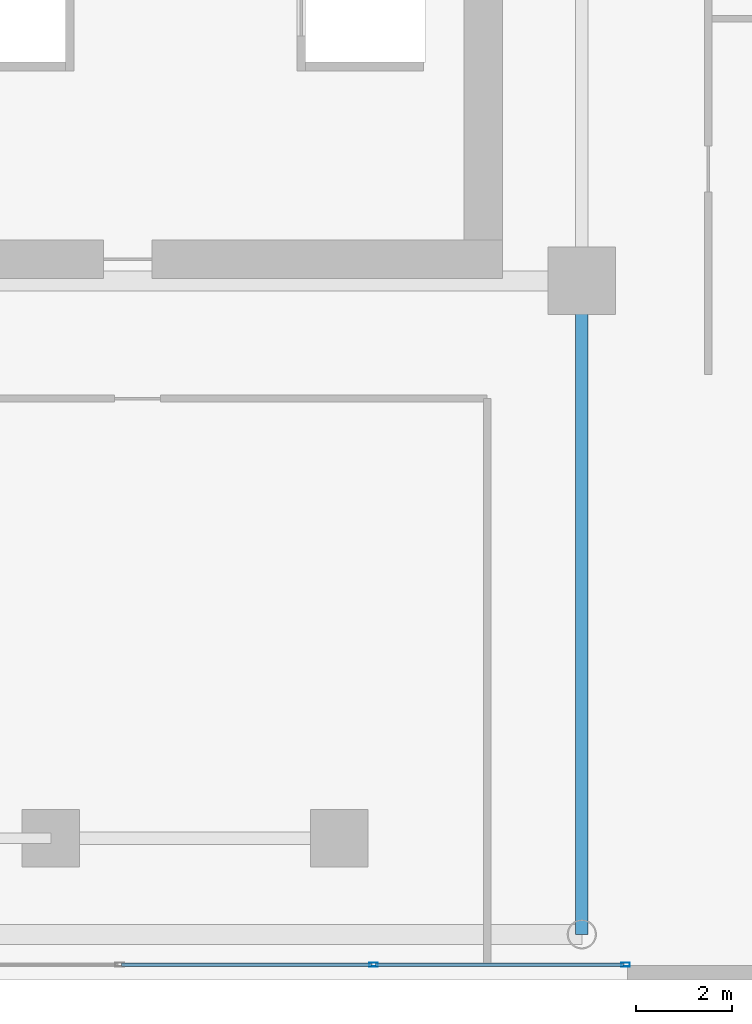
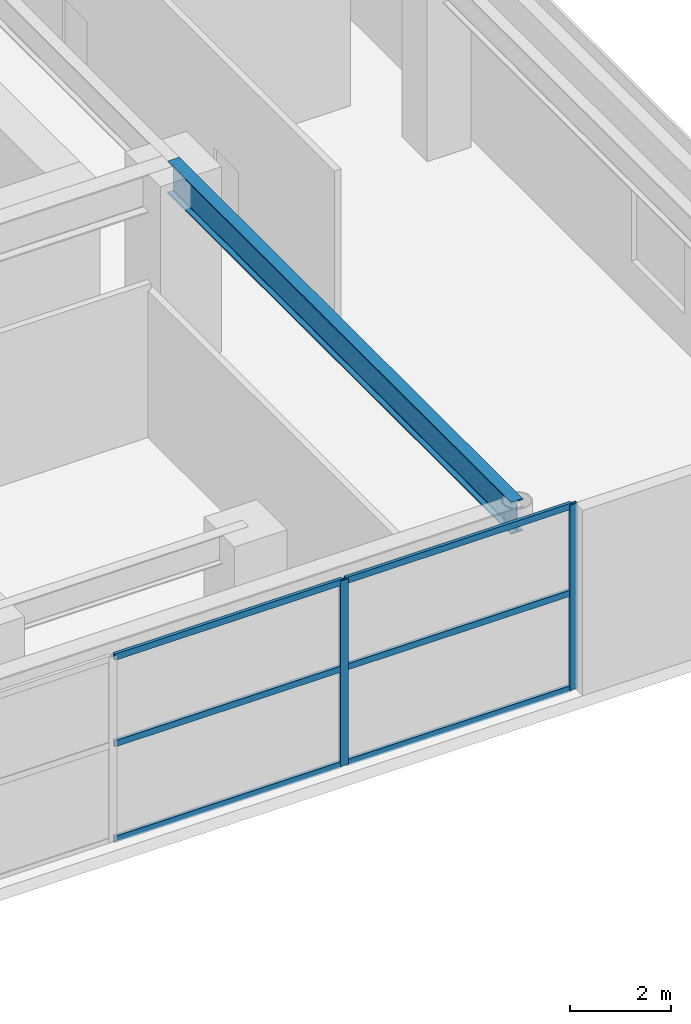
# One storey, part 12 of 30: 8 members, 1 beam, 1 element without a shape of its own.
"""IFC4 building model written with IfcOpenShell, lengths in metres."""

from ifc_helpers import new_model, si_unit, direction, frame, origin, origin_2d, place, context, subcontext, project, spatial, hollow_rectangle, i_section, extrude, source, transform, mapped, material, layer, layer_set, material_profile, profile_set, type_object, element, aggregate, save


model = new_model("IFC4")

# Units and contexts
model_context = context("Model", 3, precision=1e-05, world=origin(), true_north=direction((0.0, 1.0)))
body_context = subcontext(model_context, "Body", "Model", "MODEL_VIEW")
ifc_project = project(units=[si_unit("LENGTHUNIT", "METRE"), si_unit("AREAUNIT", "SQUARE_METRE"), si_unit("VOLUMEUNIT", "CUBIC_METRE"), si_unit("PLANEANGLEUNIT", "RADIAN"), si_unit("MASSUNIT", "GRAM", prefix="KILO")], contexts=[model_context])

# Site, building, storey
site_placement = place(None, origin())
site = spatial("IfcSite", under=ifc_project, at=site_placement, CompositionType="ELEMENT")
building_placement = place(site_placement, origin())
building = spatial("IfcBuilding", under=site, at=building_placement, Name="Ocotamira Hotel", CompositionType="ELEMENT")
storey_placement = place(building_placement, frame((0.0, 0.0, 19.199951171875)))
storey = spatial("IfcBuildingStorey", under=building, at=storey_placement, Name="L04", CompositionType="ELEMENT", Elevation=19.199951171875)

# Beam
ifc_material_1 = material(Name="Steel ASTM A992 Grade 50", Category="steel")
ifc_material_profile_1 = material_profile(ifc_material_1, i_section(OverallWidth=0.26611328125, OverallDepth=0.779052734375, WebThickness=0.0166015625, FlangeThickness=0.030029296875, FilletRadius=0.01806640625, at=origin_2d()), Name="W30X148")
ifc_profile_set_1 = profile_set([ifc_material_profile_1], Name="Steel ASTM A992 Grade 50")
beam_type = type_object("IfcBeamType", Name="BM-GIRD-W30X148", PredefinedType="BEAM", material=ifc_profile_set_1)
shared_shape_1 = source(origin(), body_context, "Body", "SweptSolid", [
    extrude(i_section(OverallWidth=0.26611328125, OverallDepth=0.779052734375, WebThickness=0.0166015625, FlangeThickness=0.030029296875, FilletRadius=0.01806640625, at=origin_2d()), origin(), (0.0, 0.0, 1.0), 13.60009765625),
])
beam_placement = place(storey_placement, frame((55.050048828125, 0.949951171875, 4.090576171875), z_axis=(0.0, 1.0, 0.0), x_axis=(-1.0, 0.0, 0.0)))
element("IfcBeam", 1, at=beam_placement, inside=storey, type_object=beam_type, Name="L04 Beam X55.05 Y0.95-14.55", PredefinedType="BEAM", context=body_context, shape_type="MappedRepresentation", body=[
    mapped(shared_shape_1, transform((0.0, 0.0, 0.0), scale=1.0)),
])

# Curtain wall, members
ifc_material_2 = material(Name="Anodised pale-metal aluminium and solar glass", Category="aluminium")
ifc_layer = layer(ifc_material_2, 0.219970703125)
ifc_layer_set = layer_set([ifc_layer], Name="Anodised pale-metal aluminium and solar glass")
curtain_wall_type = type_object("IfcCurtainWallType", Name="CW-SYS1-POD", PredefinedType="NOTDEFINED", material=ifc_layer_set)
curtain_wall_placement = place(storey_placement, origin())
curtain_wall = element("IfcCurtainWall", 2, at=curtain_wall_placement, inside=storey, type_object=curtain_wall_type, Name="L04 Curtain Wall CW-1 CW-L04-SE", PredefinedType="NOTDEFINED")
ifc_material_3 = material(Name="Anodised pale-metal aluminium 6063-T6", Category="aluminium")
ifc_material_profile_2 = material_profile(ifc_material_3, hollow_rectangle(XDim=0.074951171875, YDim=0.14990234375, WallThickness=0.006103515625, at=origin_2d()), Name="HSS150X75X6")
ifc_profile_set_2 = profile_set([ifc_material_profile_2], Name="Anodised pale-metal aluminium 6063-T6")
member_type_1 = type_object("IfcMemberType", Name="CWT-150X75", PredefinedType="USERDEFINED", material=ifc_profile_set_2)
shared_shape_2 = source(origin(), body_context, "Body", "SweptSolid", [
    extrude(hollow_rectangle(XDim=0.074951171875, YDim=0.14990234375, WallThickness=0.006103515625, at=origin_2d()), origin(), (0.0, 0.0, 1.0), 5.163330078125),
])
member_1_placement = place(storey_placement, frame((50.756591796875, 0.320068359375, 0.03759765625), z_axis=(1.0, 0.0, 0.0), x_axis=(0.0, 1.0, 0.0)))
member_1 = element("IfcMember", 3, at=member_1_placement, type_object=member_type_1, Name="CW-1 transom 3.1", ObjectType="TRANSOM", PredefinedType="USERDEFINED", context=body_context, shape_type="MappedRepresentation", body=[
    mapped(shared_shape_2, transform((0.0, 0.0, 0.0), scale=1.0)),
])
member_2_placement = place(storey_placement, frame((50.756591796875, 0.320068359375, 2.35009765625), z_axis=(1.0, 0.0, 0.0), x_axis=(0.0, 1.0, 0.0)))
member_2 = element("IfcMember", 4, at=member_2_placement, type_object=member_type_1, Name="CW-1 transom 3.2", ObjectType="TRANSOM", PredefinedType="USERDEFINED", context=body_context, shape_type="MappedRepresentation", body=[
    mapped(shared_shape_2, transform((0.0, 0.0, 0.0), scale=1.0)),
])
member_3_placement = place(storey_placement, frame((50.756591796875, 0.320068359375, 4.442626953125), z_axis=(1.0, 0.0, 0.0), x_axis=(0.0, 1.0, 0.0)))
member_3 = element("IfcMember", 5, at=member_3_placement, type_object=member_type_1, Name="CW-1 transom 3.3", ObjectType="TRANSOM", PredefinedType="USERDEFINED", context=body_context, shape_type="MappedRepresentation", body=[
    mapped(shared_shape_2, transform((0.0, 0.0, 0.0), scale=1.0)),
])
shared_shape_3 = source(origin(), body_context, "Body", "SweptSolid", [
    extrude(hollow_rectangle(XDim=0.074951171875, YDim=0.14990234375, WallThickness=0.006103515625, at=origin_2d()), origin(), (0.0, 0.0, 1.0), 5.203369140625),
])
member_4_placement = place(storey_placement, frame((45.473388671875, 0.320068359375, 0.03759765625), z_axis=(1.0, 0.0, 0.0), x_axis=(0.0, 1.0, 0.0)))
member_4 = element("IfcMember", 6, at=member_4_placement, type_object=member_type_1, Name="CW-1 transom 2.1", ObjectType="TRANSOM", PredefinedType="USERDEFINED", context=body_context, shape_type="MappedRepresentation", body=[
    mapped(shared_shape_3, transform((0.0, 0.0, 0.0), scale=1.0)),
])
member_5_placement = place(storey_placement, frame((45.473388671875, 0.320068359375, 2.35009765625), z_axis=(1.0, 0.0, 0.0), x_axis=(0.0, 1.0, 0.0)))
member_5 = element("IfcMember", 7, at=member_5_placement, type_object=member_type_1, Name="CW-1 transom 2.2", ObjectType="TRANSOM", PredefinedType="USERDEFINED", context=body_context, shape_type="MappedRepresentation", body=[
    mapped(shared_shape_3, transform((0.0, 0.0, 0.0), scale=1.0)),
])
member_6_placement = place(storey_placement, frame((45.473388671875, 0.320068359375, 4.442626953125), z_axis=(1.0, 0.0, 0.0), x_axis=(0.0, 1.0, 0.0)))
member_6 = element("IfcMember", 8, at=member_6_placement, type_object=member_type_1, Name="CW-1 transom 2.3", ObjectType="TRANSOM", PredefinedType="USERDEFINED", context=body_context, shape_type="MappedRepresentation", body=[
    mapped(shared_shape_3, transform((0.0, 0.0, 0.0), scale=1.0)),
])
ifc_material_profile_3 = material_profile(ifc_material_3, hollow_rectangle(XDim=0.080078125, YDim=0.179931640625, WallThickness=0.006103515625, at=origin_2d()), Name="HSS180X80X6")
ifc_profile_set_3 = profile_set([ifc_material_profile_3], Name="Anodised pale-metal aluminium 6063-T6")
member_type_2 = type_object("IfcMemberType", Name="CWM-180X75", PredefinedType="MULLION", material=ifc_profile_set_3)
shared_shape_4 = source(origin(), body_context, "Body", "SweptSolid", [
    extrude(hollow_rectangle(XDim=0.080078125, YDim=0.179931640625, WallThickness=0.006103515625, at=origin_2d()), origin(), (0.0, 0.0, 1.0), 4.47998046875),
])
member_7_placement = place(storey_placement, frame((50.716552734375, 0.320068359375, 0.0), z_axis=(0.0, 0.0, 1.0), x_axis=(0.0, 1.0, 0.0)))
member_7 = element("IfcMember", 9, at=member_7_placement, type_object=member_type_2, Name="CW-1 mullion 3", PredefinedType="MULLION", context=body_context, shape_type="MappedRepresentation", body=[
    mapped(shared_shape_4, transform((0.0, 0.0, 0.0), scale=1.0)),
])
member_8_placement = place(storey_placement, frame((55.9599609375, 0.320068359375, 0.0), z_axis=(0.0, 0.0, 1.0), x_axis=(0.0, 1.0, 0.0)))
member_8 = element("IfcMember", 10, at=member_8_placement, type_object=member_type_2, Name="CW-1 mullion 4", PredefinedType="MULLION", context=body_context, shape_type="MappedRepresentation", body=[
    mapped(shared_shape_4, transform((0.0, 0.0, 0.0), scale=1.0)),
])
aggregate(curtain_wall, [member_7, member_8, member_4, member_5, member_6, member_1, member_2, member_3])

save(model, "model.ifc")
